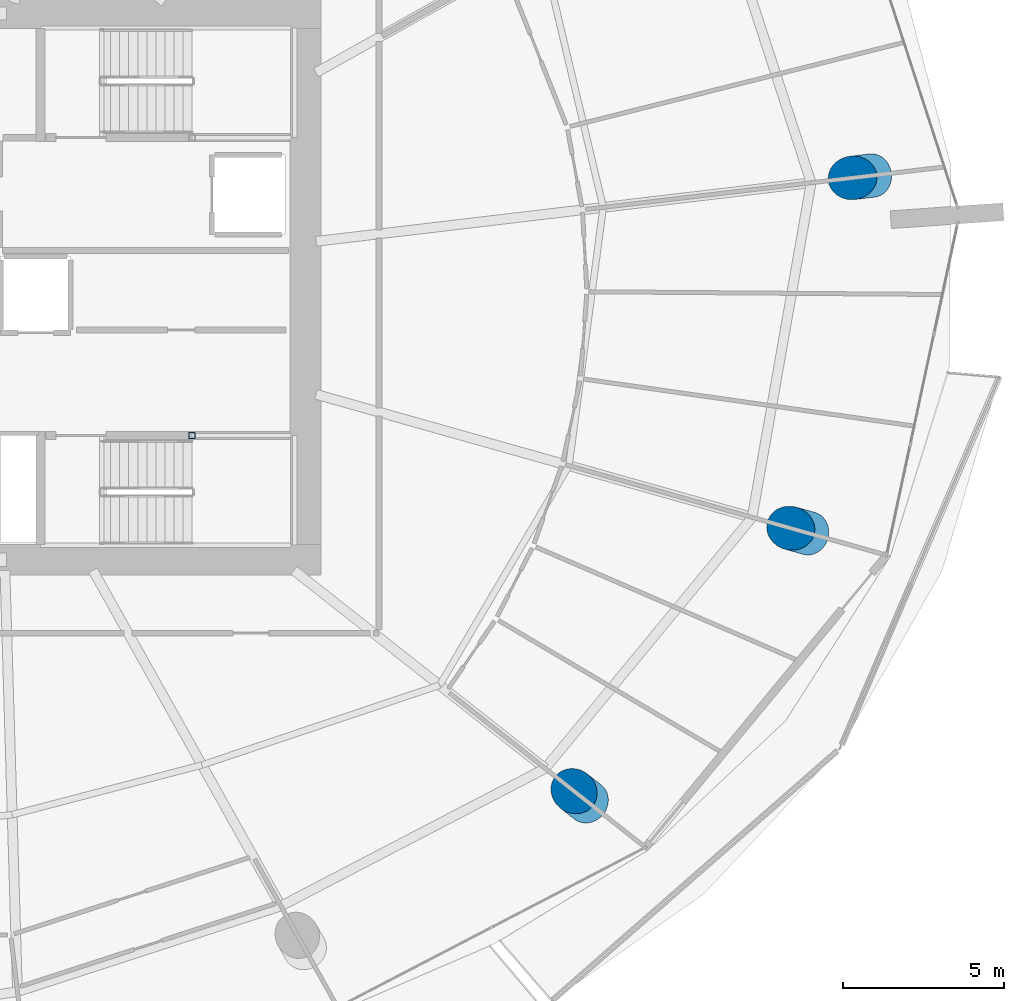
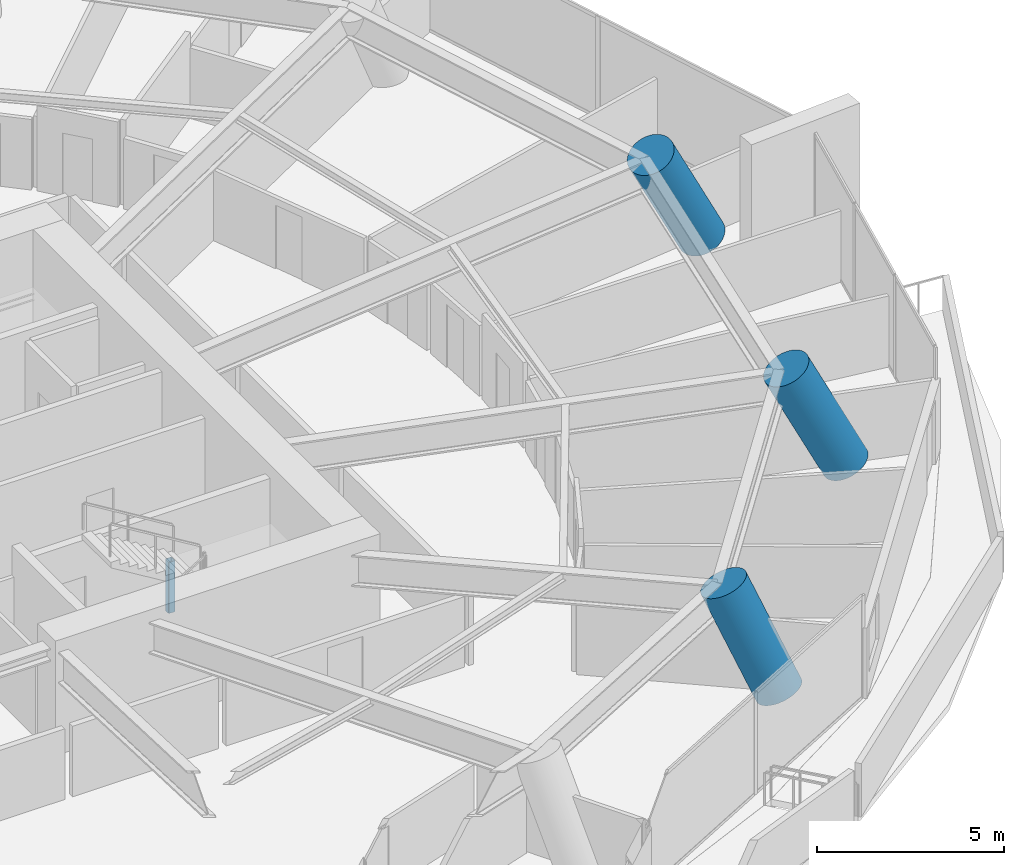
# One storey, part 3 of 31: 4 columns.
"""IFC4 building model written with IfcOpenShell, lengths in metres."""

from ifc_helpers import new_model, si_unit, direction, frame, origin, origin_2d, place, context, subcontext, project, spatial, hollow_rectangle, circle, extrude, material, material_profile, profile_set, type_object, element, save


model = new_model("IFC4")

# Units and contexts
model_context = context("Model", 3, precision=1e-05, world=origin(), true_north=direction((0.0, 1.0)))
body_context = subcontext(model_context, "Body", "Model", "MODEL_VIEW")
ifc_project = project(units=[si_unit("LENGTHUNIT", "METRE"), si_unit("AREAUNIT", "SQUARE_METRE"), si_unit("VOLUMEUNIT", "CUBIC_METRE"), si_unit("PLANEANGLEUNIT", "RADIAN"), si_unit("MASSUNIT", "GRAM", prefix="KILO")], contexts=[model_context])

# Site, building, storey
site_placement = place(None, origin())
site = spatial("IfcSite", under=ifc_project, at=site_placement, CompositionType="ELEMENT")
building_placement = place(site_placement, origin())
building = spatial("IfcBuilding", under=site, at=building_placement, Name="Kazma Halo Residences", CompositionType="ELEMENT")
storey_placement = place(building_placement, frame((0.0, 0.0, 71.39990234375)))
storey = spatial("IfcBuildingStorey", under=building, at=storey_placement, Name="L17", CompositionType="ELEMENT", Elevation=71.39990234375)

# Columns
ifc_material_1 = material(Name="Steel S355", Category="steel")
ifc_material_profile_1 = material_profile(ifc_material_1, hollow_rectangle(XDim=0.199951171875, YDim=0.199951171875, WallThickness=0.010009765625, InnerFilletRadius=0.010009765625, OuterFilletRadius=0.02001953125, at=origin_2d()), Name="SHS200x200x10")
ifc_profile_set_1 = profile_set([ifc_material_profile_1], Name="Steel S355")
column_type_1 = type_object("IfcColumnType", Name="COL-LP-SHS200", PredefinedType="COLUMN", material=ifc_profile_set_1)
column_1_placement = place(storey_placement, frame((56.0, 37.3798828125, 0.0), z_axis=(0.0, 0.0, 1.0), x_axis=(1.0, 0.0, 0.0)))
element("IfcColumn", 1, at=column_1_placement, inside=storey, type_object=column_type_1, Name="L17 ST-03 landing pilaster 1", PredefinedType="COLUMN", context=body_context, shape_type="SweptSolid", body=[
    extrude(hollow_rectangle(XDim=0.199951171875, YDim=0.199951171875, WallThickness=0.010009765625, InnerFilletRadius=0.010009765625, OuterFilletRadius=0.02001953125, at=origin_2d()), origin(), (0.0, 0.0, 1.0), 1.670166015625),
])
ifc_material_2 = material(Name="Concrete C80/95", Category="concrete")
ifc_material_profile_2 = material_profile(ifc_material_2, circle(Radius=0.675048828125, at=origin_2d()), Name="CIRC1350")
ifc_profile_set_2 = profile_set([ifc_material_profile_2], Name="Concrete C80/95")
column_type_2 = type_object("IfcColumnType", Name="COL-PERIM-1350", PredefinedType="COLUMN", material=ifc_profile_set_2)
column_2_placement = place(storey_placement, frame((68.27587890625, 26.015869140625, 0.0), z_axis=(-0.320814220059, 0.252899785334, 0.912754038493), x_axis=(-0.619079225089, -0.785328538297, 0.0)))
element("IfcColumn", 2, at=column_2_placement, inside=storey, type_object=column_type_2, Name="L17 perimeter ring column P14", PredefinedType="COLUMN", context=body_context, shape_type="SweptSolid", body=[
    extrude(circle(Radius=0.675048828125, at=origin_2d()), origin(), (0.0, 0.0, 1.0), 3.67041015625),
])
column_3_placement = place(storey_placement, frame((75.140869140625, 34.345458984375, 0.0), z_axis=(-0.422633852071, 0.119162449383, 0.898432489251), x_axis=(-0.271371626932, -0.962474643872, 0.0)))
element("IfcColumn", 3, at=column_3_placement, inside=storey, type_object=column_type_2, Name="L17 perimeter ring column P15", PredefinedType="COLUMN", context=body_context, shape_type="SweptSolid", body=[
    extrude(circle(Radius=0.675048828125, at=origin_2d()), origin(), (0.0, 0.0, 1.0), 3.728759765625),
])
column_4_placement = place(storey_placement, frame((77.097900390625, 45.444091796875, 0.0), z_axis=(-0.449694478252, -0.053279796585, 0.8915919131), x_axis=(0.117657060398, -0.993054286602, 0.0)))
element("IfcColumn", 4, at=column_4_placement, inside=storey, type_object=column_type_2, Name="L17 perimeter ring column P16", PredefinedType="COLUMN", context=body_context, shape_type="SweptSolid", body=[
    extrude(circle(Radius=0.675048828125, at=origin_2d()), origin(), (0.0, 0.0, 1.0), 3.75732421875),
])

save(model, "model.ifc")
